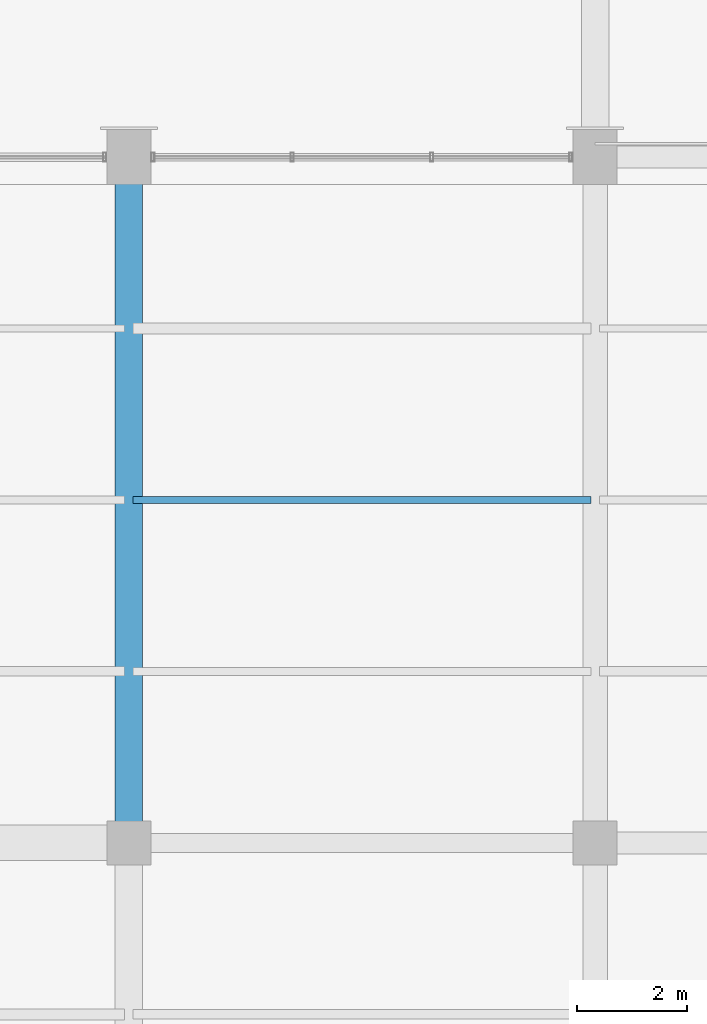
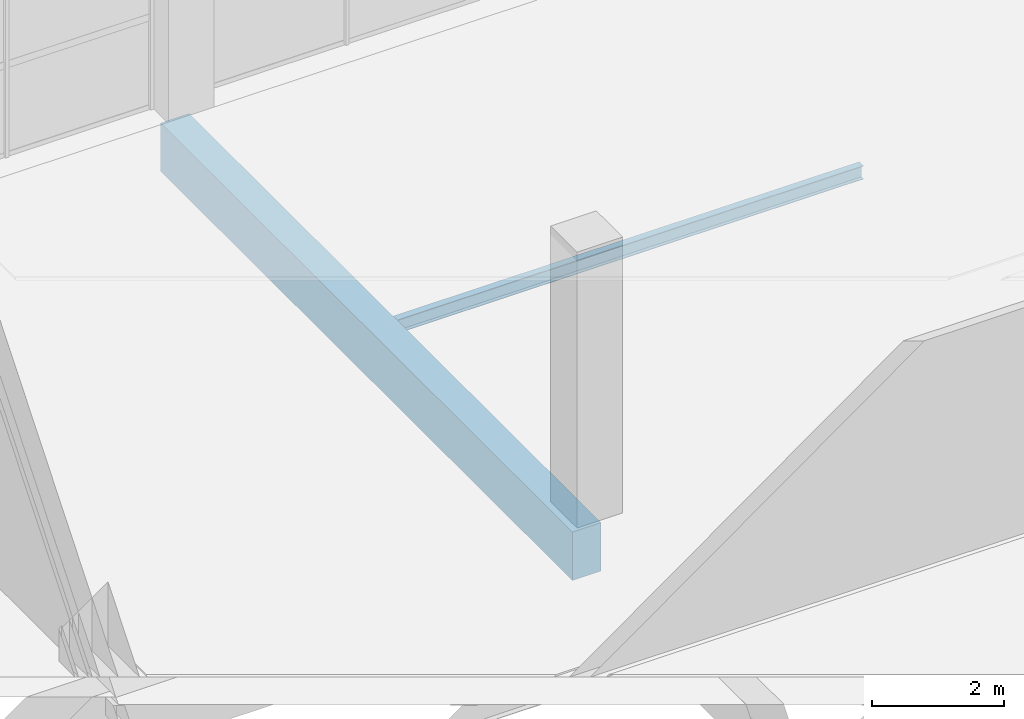
# One storey, part 24 of 90: 2 beams.
"""IFC4 building model written with IfcOpenShell, lengths in metres."""

from ifc_helpers import new_model, si_unit, direction, frame, origin, origin_2d, place, context, subcontext, project, spatial, rectangle, i_section, extrude, material, material_profile, profile_set, type_object, element, save


model = new_model("IFC4")

# Units and contexts
model_context = context("Model", 3, precision=1e-05, world=origin(), true_north=direction((0.0, 1.0)))
body_context = subcontext(model_context, "Body", "Model", "MODEL_VIEW")
ifc_project = project(units=[si_unit("LENGTHUNIT", "METRE"), si_unit("AREAUNIT", "SQUARE_METRE"), si_unit("VOLUMEUNIT", "CUBIC_METRE"), si_unit("PLANEANGLEUNIT", "RADIAN"), si_unit("MASSUNIT", "GRAM", prefix="KILO")], contexts=[model_context])

# Site, building, storey
site_placement = place(None, origin())
site = spatial("IfcSite", under=ifc_project, at=site_placement, CompositionType="ELEMENT")
building_placement = place(site_placement, origin())
building = spatial("IfcBuilding", under=site, at=building_placement, Name="Solvikara Media Centre", CompositionType="ELEMENT")
storey_placement = place(building_placement, origin())
storey = spatial("IfcBuildingStorey", under=building, at=storey_placement, Name="L00", CompositionType="ELEMENT", Elevation=0.0)

# Beams
ifc_material_1 = material(Name="Concrete fc' 45 MPa (C45/55)", Category="concrete")
ifc_material_profile_1 = material_profile(ifc_material_1, rectangle(XDim=0.5, YDim=0.89990234375, at=origin_2d()), Name="RC 500x900")
ifc_profile_set_1 = profile_set([ifc_material_profile_1], Name="Concrete fc' 45 MPa (C45/55)")
beam_type_1 = type_object("IfcBeamType", Name="BM-09", PredefinedType="BEAM", material=ifc_profile_set_1)
beam_1_placement = place(storey_placement, frame((8.5, 101.5, -0.7900390625), z_axis=(0.0, 1.0, 0.0), x_axis=(-1.0, 0.0, 0.0)))
element("IfcBeam", 1, at=beam_1_placement, inside=storey, type_object=beam_type_1, Name="B-L00-Y0129", PredefinedType="BEAM", context=body_context, shape_type="SweptSolid", body=[
    extrude(rectangle(XDim=0.5, YDim=0.89990234375, at=origin_2d()), origin(), (0.0, 0.0, 1.0), 12.5),
])
ifc_material_2 = material(Name="Steel S355JR", Category="steel")
ifc_material_profile_2 = material_profile(ifc_material_2, i_section(OverallWidth=0.125, OverallDepth=0.25, WebThickness=0.006103515625, FlangeThickness=0.009033203125, at=origin_2d()), Name="WF 250x125x6x9")
ifc_profile_set_2 = profile_set([ifc_material_profile_2], Name="Steel S355JR")
beam_type_2 = type_object("IfcBeamType", Name="BM-24", PredefinedType="JOIST", material=ifc_profile_set_2)
beam_2_placement = place(storey_placement, frame((8.577880859375, 107.75, -0.467041015625), z_axis=(1.0, 0.0, 0.0), x_axis=(0.0, 1.0, 0.0)))
element("IfcBeam", 2, at=beam_2_placement, inside=storey, type_object=beam_type_2, Name="J-L00-0284", PredefinedType="JOIST", context=body_context, shape_type="SweptSolid", body=[
    extrude(i_section(OverallWidth=0.125, OverallDepth=0.25, WebThickness=0.006103515625, FlangeThickness=0.009033203125, at=origin_2d()), origin(), (0.0, 0.0, 1.0), 8.34423828125),
])

save(model, "model.ifc")
